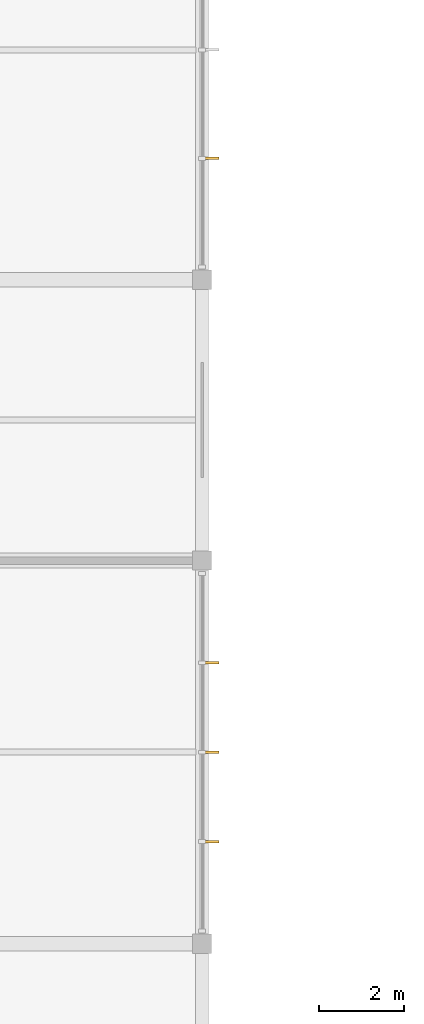
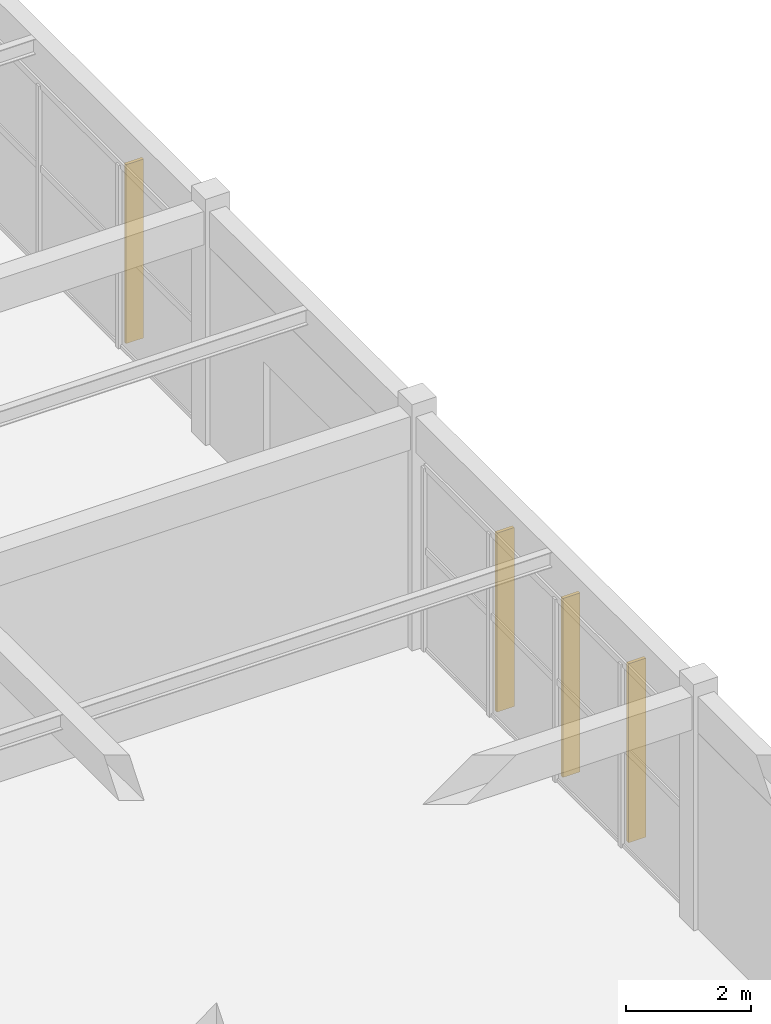
# One storey, part 58 of 74: 4 shading devices.
"""IFC4 building model written with IfcOpenShell, lengths in metres."""

from ifc_helpers import new_model, si_unit, direction, frame, origin, origin_2d, place, context, subcontext, project, spatial, rectangle, extrude, material, type_object, element, save


model = new_model("IFC4")

# Units and contexts
model_context = context("Model", 3, precision=1e-05, world=origin(), true_north=direction((0.0, 1.0)))
body_context = subcontext(model_context, "Body", "Model", "MODEL_VIEW")
ifc_project = project(units=[si_unit("LENGTHUNIT", "METRE"), si_unit("AREAUNIT", "SQUARE_METRE"), si_unit("VOLUMEUNIT", "CUBIC_METRE"), si_unit("PLANEANGLEUNIT", "RADIAN"), si_unit("MASSUNIT", "GRAM", prefix="KILO")], contexts=[model_context])

# Site, building, storey
site_placement = place(None, origin())
site = spatial("IfcSite", under=ifc_project, at=site_placement, CompositionType="ELEMENT")
building_placement = place(site_placement, origin())
building = spatial("IfcBuilding", under=site, at=building_placement, Name="Suirenkawa Promenade Aquatics Centre", CompositionType="ELEMENT")
storey_placement = place(building_placement, frame((0.0, 0.0, 4.800048828125)))
storey = spatial("IfcBuildingStorey", under=building, at=storey_placement, Name="L01", CompositionType="ELEMENT", Elevation=4.800048828125)

# Shading devices
ifc_material = material(Name="Anodised aluminium 6063-T6", Category="aluminium")
shading_device_type = type_object("IfcShadingDeviceType", Name="SDT-KOUSHI-320", PredefinedType="USERDEFINED", material=ifc_material)
for number, where, z_axis, x_axis, name in (
    (1, (45.23193359375, 19.800537109375, 0.0400390625), (0.0, 0.0, 1.0), (1.0, 0.0, 0.0), "Vertical solar shading fin FN-02 FIN-0098"),
    (2, (45.23193359375, 17.699951171875, 0.0400390625), (0.0, 0.0, 1.0), (1.0, 0.0, 0.0), "Vertical solar shading fin FN-02 FIN-0099"),
    (3, (45.23193359375, 15.599609375, 0.0400390625), (0.0, 0.0, 1.0), (1.0, 0.0, 0.0), "Vertical solar shading fin FN-02 FIN-0100"),
    (4, (45.23193359375, 31.6494140625, 0.0400390625), (0.0, 0.0, 1.0), (1.0, 0.0, 0.0), "Vertical solar shading fin FN-02 FIN-0108"),
):
    element("IfcShadingDevice", number, at=place(storey_placement, frame(where, z_axis=z_axis, x_axis=x_axis)), inside=storey, type_object=shading_device_type, Name=name, ObjectType="FIN", PredefinedType="USERDEFINED", context=body_context, shape_type="SweptSolid", body=[
        extrude(rectangle(XDim=0.320068359375, YDim=0.06005859375, at=origin_2d()), origin(), (0.0, 0.0, 1.0), 3.489990234375),
    ])

save(model, "model.ifc")
